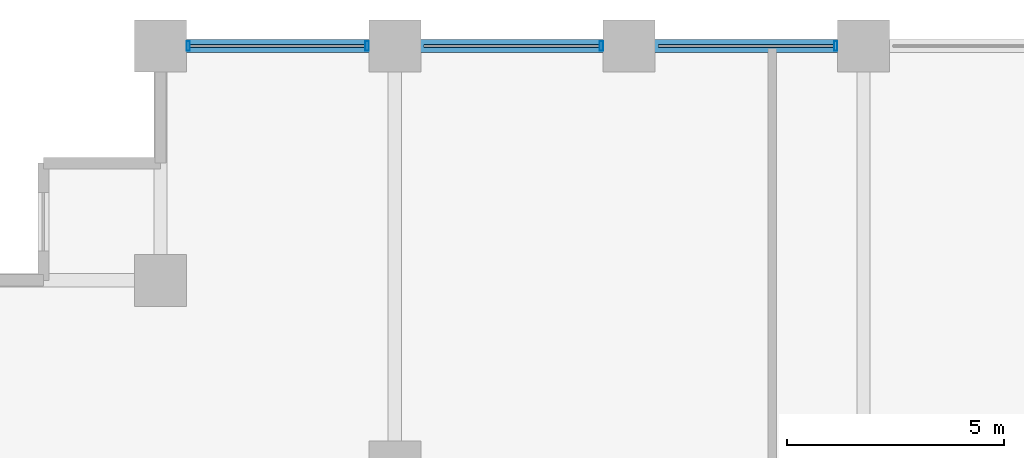
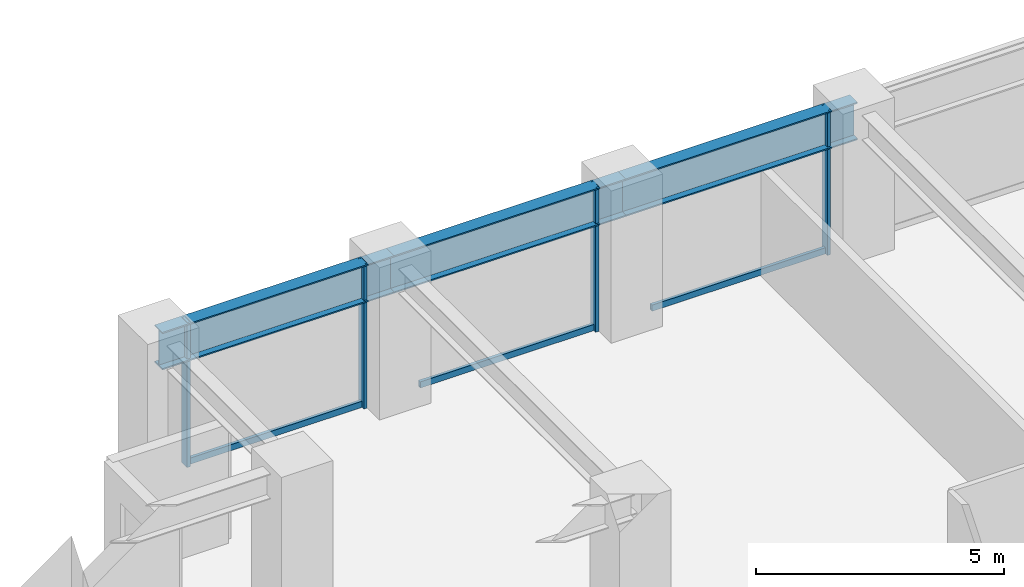
# One storey, part 12 of 28: 7 members, 3 beams, 1 element without a shape of its own.
"""IFC4 building model written with IfcOpenShell, lengths in metres."""

from ifc_helpers import new_model, si_unit, direction, frame, origin, origin_2d, place, context, subcontext, project, spatial, hollow_rectangle, i_section, extrude, material, layer, layer_set, material_profile, profile_set, type_object, element, aggregate, save


model = new_model("IFC4")

# Units and contexts
model_context = context("Model", 3, precision=1e-05, world=origin(), true_north=direction((0.0, 1.0)))
body_context = subcontext(model_context, "Body", "Model", "MODEL_VIEW")
ifc_project = project(units=[si_unit("LENGTHUNIT", "METRE"), si_unit("AREAUNIT", "SQUARE_METRE"), si_unit("VOLUMEUNIT", "CUBIC_METRE"), si_unit("PLANEANGLEUNIT", "RADIAN"), si_unit("MASSUNIT", "GRAM", prefix="KILO")], contexts=[model_context])

# Site, building, storey
site_placement = place(None, origin())
site = spatial("IfcSite", under=ifc_project, at=site_placement, CompositionType="ELEMENT")
building_placement = place(site_placement, origin())
building = spatial("IfcBuilding", under=site, at=building_placement, Name="Surkhivell Harbour Commons", CompositionType="ELEMENT")
storey_placement = place(building_placement, frame((0.0, 0.0, 63.75)))
storey = spatial("IfcBuildingStorey", under=building, at=storey_placement, Name="L16", CompositionType="ELEMENT", Elevation=63.75)

# Beams
ifc_material_1 = material(Name="Steel S460", Category="steel")
ifc_material_profile_1 = material_profile(ifc_material_1, i_section(OverallWidth=0.30810546875, OverallDepth=0.927001953125, WebThickness=0.01953125, FlangeThickness=0.031982421875, at=origin_2d()), Name="UB914x305x289")
ifc_profile_set_1 = profile_set([ifc_material_profile_1], Name="Steel S460")
beam_type = type_object("IfcBeamType", Name="BM-SPN-914B", PredefinedType="SPANDREL", material=ifc_profile_set_1)
beam_1_placement = place(storey_placement, frame((-27.0, 25.89990234375, 3.1064453125), z_axis=(1.0, 0.0, 0.0), x_axis=(0.0, 1.0, 0.0)))
element("IfcBeam", 1, at=beam_1_placement, inside=storey, type_object=beam_type, Name="L16 Tube Spandrel (-27.0,25.9)", PredefinedType="SPANDREL", context=body_context, shape_type="SweptSolid", body=[
    extrude(i_section(OverallWidth=0.30810546875, OverallDepth=0.927001953125, WebThickness=0.01953125, FlangeThickness=0.031982421875, at=origin_2d()), origin(), (0.0, 0.0, 1.0), 5.39990234375),
])
beam_2_placement = place(storey_placement, frame((-21.60009765625, 25.89990234375, 3.1064453125), z_axis=(1.0, 0.0, 0.0), x_axis=(0.0, 1.0, 0.0)))
element("IfcBeam", 2, at=beam_2_placement, inside=storey, type_object=beam_type, Name="L16 Tube Spandrel (-21.6,25.9)", PredefinedType="SPANDREL", context=body_context, shape_type="SweptSolid", body=[
    extrude(i_section(OverallWidth=0.30810546875, OverallDepth=0.927001953125, WebThickness=0.01953125, FlangeThickness=0.031982421875, at=origin_2d()), origin(), (0.0, 0.0, 1.0), 5.400146484375),
])
beam_3_placement = place(storey_placement, frame((-16.199951171875, 25.89990234375, 3.1064453125), z_axis=(1.0, 0.0, 0.0), x_axis=(0.0, 1.0, 0.0)))
element("IfcBeam", 3, at=beam_3_placement, inside=storey, type_object=beam_type, Name="L16 Tube Spandrel (-16.2,25.9)", PredefinedType="SPANDREL", context=body_context, shape_type="SweptSolid", body=[
    extrude(i_section(OverallWidth=0.30810546875, OverallDepth=0.927001953125, WebThickness=0.01953125, FlangeThickness=0.031982421875, at=origin_2d()), origin(), (0.0, 0.0, 1.0), 5.39990234375),
])

# Curtain wall, members
ifc_material_2 = material(Name="Anodised pale-metal aluminium and insulated glazing", Category="aluminium")
ifc_layer = layer(ifc_material_2, 0.219970703125)
ifc_layer_set = layer_set([ifc_layer], Name="Anodised pale-metal aluminium and insulated glazing")
curtain_wall_type = type_object("IfcCurtainWallType", Name="CW-SYS-Z1", PredefinedType="NOTDEFINED", material=ifc_layer_set)
curtain_wall_placement = place(storey_placement, origin())
curtain_wall = element("IfcCurtainWall", 4, at=curtain_wall_placement, inside=storey, type_object=curtain_wall_type, Name="L16 Curtain Wall CW-L16-E07S2", PredefinedType="NOTDEFINED")
ifc_material_3 = material(Name="Anodised pale-metal aluminium alloy 6063-T6", Category="aluminium")
ifc_material_profile_2 = material_profile(ifc_material_3, hollow_rectangle(XDim=0.074951171875, YDim=0.219970703125, WallThickness=0.00390625, at=origin_2d()), Name="ALU-MULL-75x220")
ifc_profile_set_2 = profile_set([ifc_material_profile_2], Name="Anodised pale-metal aluminium alloy 6063-T6")
member_type_1 = type_object("IfcMemberType", Name="CWM-220", PredefinedType="MULLION", material=ifc_profile_set_2)
member_1_placement = place(storey_placement, frame((-11.439453125, 25.89990234375, 0.0), z_axis=(0.0, 0.0, 1.0), x_axis=(-1.0, 0.0, 0.0)))
member_1 = element("IfcMember", 5, at=member_1_placement, type_object=member_type_1, Name="CW-Z1 mullion 2", PredefinedType="MULLION", context=body_context, shape_type="SweptSolid", body=[
    extrude(hollow_rectangle(XDim=0.074951171875, YDim=0.219970703125, WallThickness=0.00390625, at=origin_2d()), origin(), (0.0, 0.0, 1.0), 3.570068359375),
])
member_2_placement = place(storey_placement, frame((-16.839599609375, 25.89990234375, 0.0), z_axis=(0.0, 0.0, 1.0), x_axis=(-1.0, 0.0, 0.0)))
member_2 = element("IfcMember", 6, at=member_2_placement, type_object=member_type_1, Name="CW-Z1 mullion 3", PredefinedType="MULLION", context=body_context, shape_type="SweptSolid", body=[
    extrude(hollow_rectangle(XDim=0.074951171875, YDim=0.219970703125, WallThickness=0.00390625, at=origin_2d()), origin(), (0.0, 0.0, 1.0), 3.570068359375),
])
member_3_placement = place(storey_placement, frame((-22.239501953125, 25.89990234375, 0.0), z_axis=(0.0, 0.0, 1.0), x_axis=(-1.0, 0.0, 0.0)))
member_3 = element("IfcMember", 7, at=member_3_placement, type_object=member_type_1, Name="CW-Z1 mullion 4", PredefinedType="MULLION", context=body_context, shape_type="SweptSolid", body=[
    extrude(hollow_rectangle(XDim=0.074951171875, YDim=0.219970703125, WallThickness=0.00390625, at=origin_2d()), origin(), (0.0, 0.0, 1.0), 3.570068359375),
])
member_4_placement = place(storey_placement, frame((-26.360595703125, 25.89990234375, 0.0), z_axis=(0.0, 0.0, 1.0), x_axis=(-1.0, 0.0, 0.0)))
member_4 = element("IfcMember", 8, at=member_4_placement, type_object=member_type_1, Name="CW-Z1 mullion 5", PredefinedType="MULLION", context=body_context, shape_type="SweptSolid", body=[
    extrude(hollow_rectangle(XDim=0.074951171875, YDim=0.219970703125, WallThickness=0.00390625, at=origin_2d()), origin(), (0.0, 0.0, 1.0), 3.570068359375),
])
ifc_material_profile_3 = material_profile(ifc_material_3, hollow_rectangle(XDim=0.074951171875, YDim=0.14990234375, WallThickness=0.00341796875, at=origin_2d()), Name="ALU-TRAN-75x150")
ifc_profile_set_3 = profile_set([ifc_material_profile_3], Name="Anodised pale-metal aluminium alloy 6063-T6")
member_type_2 = type_object("IfcMemberType", Name="CWT-150", PredefinedType="USERDEFINED", material=ifc_profile_set_3)
member_5_placement = place(storey_placement, frame((-11.47705078125, 25.89990234375, 0.074951171875), z_axis=(-1.0, 0.0, 0.0), x_axis=(0.0, -1.0, 0.0)))
member_5 = element("IfcMember", 9, at=member_5_placement, type_object=member_type_2, Name="CW-Z1 transom 2.1", ObjectType="TRANSOM", PredefinedType="USERDEFINED", context=body_context, shape_type="SweptSolid", body=[
    extrude(hollow_rectangle(XDim=0.074951171875, YDim=0.14990234375, WallThickness=0.00341796875, at=origin_2d()), origin(), (0.0, 0.0, 1.0), 4.0458984375),
])
member_6_placement = place(storey_placement, frame((-16.876953125, 25.89990234375, 0.074951171875), z_axis=(-1.0, 0.0, 0.0), x_axis=(0.0, -1.0, 0.0)))
member_6 = element("IfcMember", 10, at=member_6_placement, type_object=member_type_2, Name="CW-Z1 transom 3.1", ObjectType="TRANSOM", PredefinedType="USERDEFINED", context=body_context, shape_type="SweptSolid", body=[
    extrude(hollow_rectangle(XDim=0.074951171875, YDim=0.14990234375, WallThickness=0.00341796875, at=origin_2d()), origin(), (0.0, 0.0, 1.0), 4.046142578125),
])
member_7_placement = place(storey_placement, frame((-22.277099609375, 25.89990234375, 0.074951171875), z_axis=(-1.0, 0.0, 0.0), x_axis=(0.0, -1.0, 0.0)))
member_7 = element("IfcMember", 11, at=member_7_placement, type_object=member_type_2, Name="CW-Z1 transom 4.1", ObjectType="TRANSOM", PredefinedType="USERDEFINED", context=body_context, shape_type="SweptSolid", body=[
    extrude(hollow_rectangle(XDim=0.074951171875, YDim=0.14990234375, WallThickness=0.00341796875, at=origin_2d()), origin(), (0.0, 0.0, 1.0), 4.0458984375),
])
aggregate(curtain_wall, [member_1, member_5, member_2, member_6, member_3, member_4, member_7])

save(model, "model.ifc")
